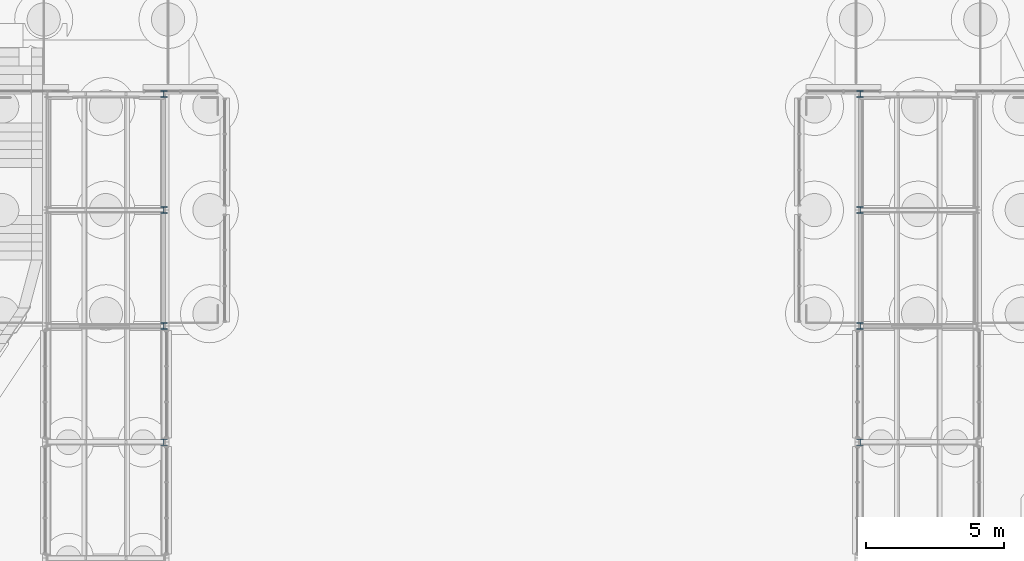
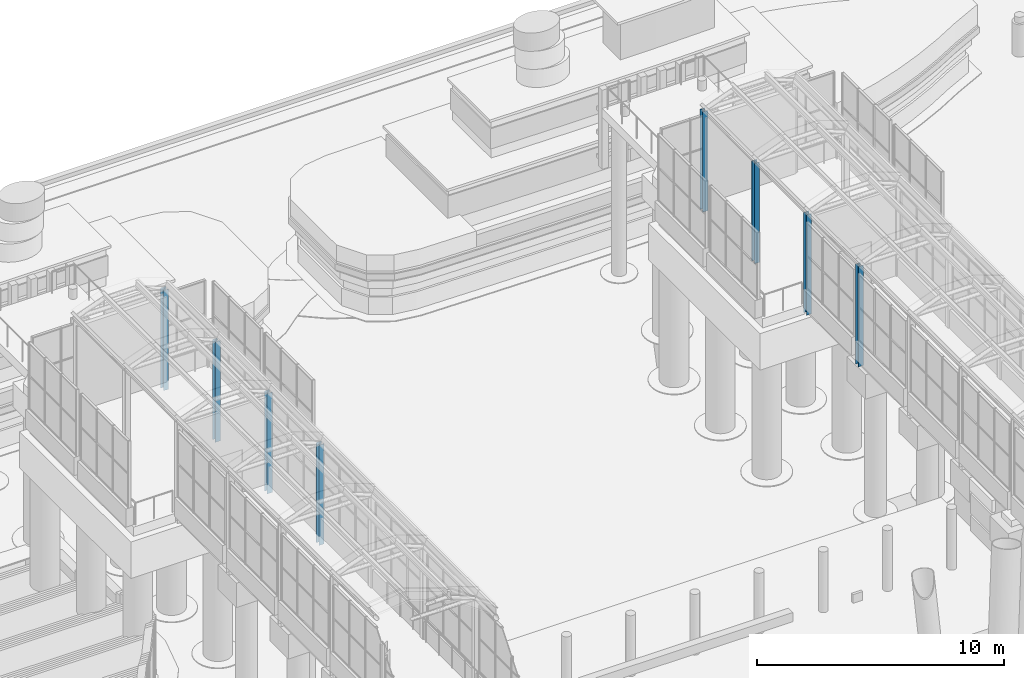
# One storey, part 35 of 222: 8 columns.
"""IFC4 building model written with IfcOpenShell, lengths in metres."""

from ifc_helpers import new_model, si_unit, direction, frame, origin, origin_2d, place, context, subcontext, project, spatial, i_section, extrude, material, material_profile, profile_set, type_object, element, save


model = new_model("IFC4")

# Units and contexts
model_context = context("Model", 3, precision=1e-05, world=origin(), true_north=direction((0.0, 1.0)))
body_context = subcontext(model_context, "Body", "Model", "MODEL_VIEW")
ifc_project = project(units=[si_unit("LENGTHUNIT", "METRE"), si_unit("AREAUNIT", "SQUARE_METRE"), si_unit("VOLUMEUNIT", "CUBIC_METRE"), si_unit("PLANEANGLEUNIT", "RADIAN"), si_unit("MASSUNIT", "GRAM", prefix="KILO")], contexts=[model_context])

# Site, building, storey
site_placement = place(None, origin())
site = spatial("IfcSite", under=ifc_project, at=site_placement, CompositionType="ELEMENT")
building_placement = place(site_placement, origin())
building = spatial("IfcBuilding", under=site, at=building_placement, Name="Sava Quay Ferry Terminal", CompositionType="ELEMENT")
storey_placement = place(building_placement, origin())
storey = spatial("IfcBuildingStorey", under=building, at=storey_placement, Name="L00", CompositionType="ELEMENT", Elevation=0.0)

# Columns
ifc_material = material(Name="Steel S355", Category="steel")
ifc_material_profile = material_profile(ifc_material, i_section(OverallWidth=0.239990234375, OverallDepth=0.22998046875, WebThickness=0.007568359375, FlangeThickness=0.011962890625, at=origin_2d()), Name="HE 240 A")
ifc_profile_set = profile_set([ifc_material_profile], Name="Steel S355")
column_type = type_object("IfcColumnType", Name="Column HE 240 A", PredefinedType="COLUMN", material=ifc_profile_set)
for number, where, z_axis, x_axis, name in (
    (1, (50.39990234375, 130.199951171875, -0.449951171875), (0.0, 0.0, 1.0), (1.0, 0.0, 0.0), "Gallery post B1 130.2"),
    (2, (50.39990234375, 134.39990234375, -0.449951171875), (0.0, 0.0, 1.0), (1.0, 0.0, 0.0), "Gallery post B1 134.4"),
    (3, (50.39990234375, 138.60009765625, -0.449951171875), (0.0, 0.0, 1.0), (1.0, 0.0, 0.0), "Gallery post B1 138.6"),
    (4, (50.39990234375, 142.800048828125, -0.449951171875), (0.0, 0.0, 1.0), (1.0, 0.0, 0.0), "Gallery post B1 142.8"),
    (5, (75.60009765625, 130.199951171875, -0.449951171875), (0.0, 0.0, 1.0), (1.0, 0.0, 0.0), "Gallery post B2 130.2"),
    (6, (75.60009765625, 134.39990234375, -0.449951171875), (0.0, 0.0, 1.0), (1.0, 0.0, 0.0), "Gallery post B2 134.4"),
    (7, (75.60009765625, 138.60009765625, -0.449951171875), (0.0, 0.0, 1.0), (1.0, 0.0, 0.0), "Gallery post B2 138.6"),
    (8, (75.60009765625, 142.800048828125, -0.449951171875), (0.0, 0.0, 1.0), (1.0, 0.0, 0.0), "Gallery post B2 142.8"),
):
    element("IfcColumn", number, at=place(storey_placement, frame(where, z_axis=z_axis, x_axis=x_axis)), inside=storey, type_object=column_type, Name=name, PredefinedType="COLUMN", context=body_context, shape_type="SweptSolid", body=[
        extrude(i_section(OverallWidth=0.239990234375, OverallDepth=0.22998046875, WebThickness=0.007568359375, FlangeThickness=0.011962890625, at=origin_2d()), origin(), (0.0, 0.0, 1.0), 4.949951171875),
    ])

save(model, "model.ifc")
